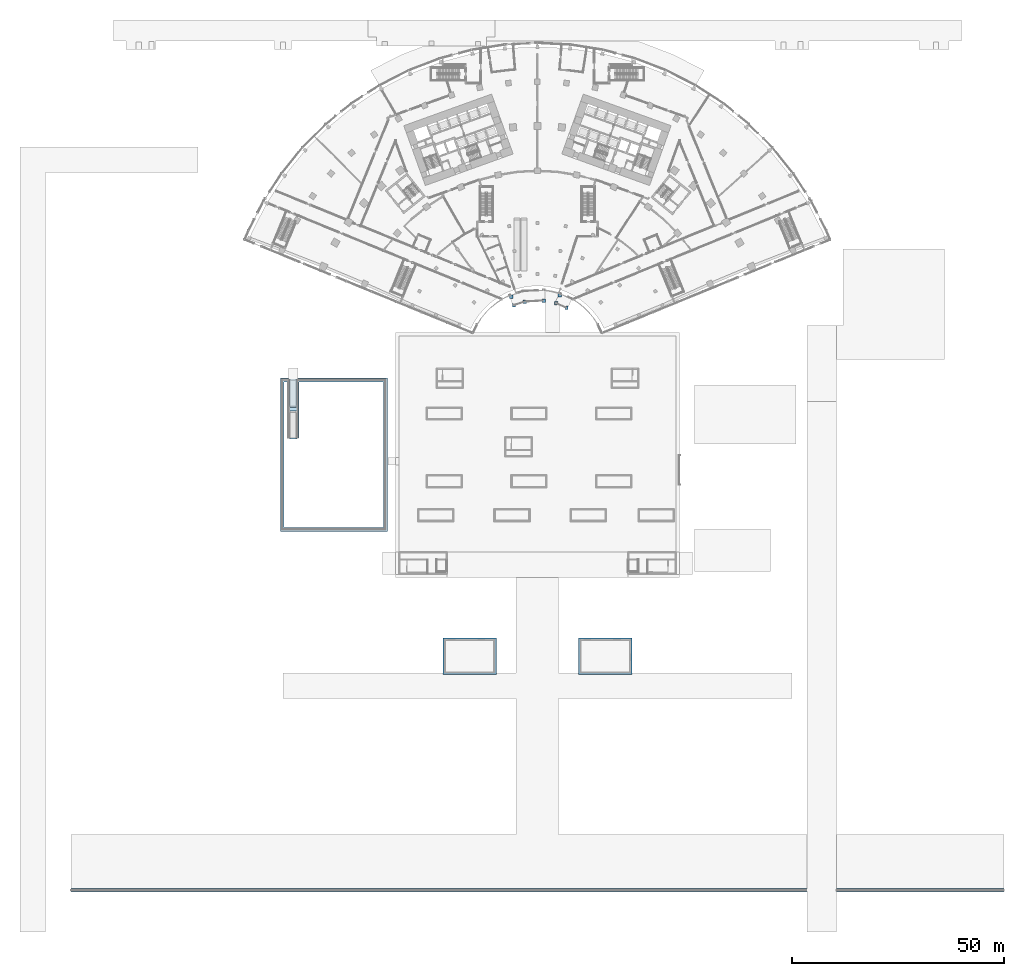
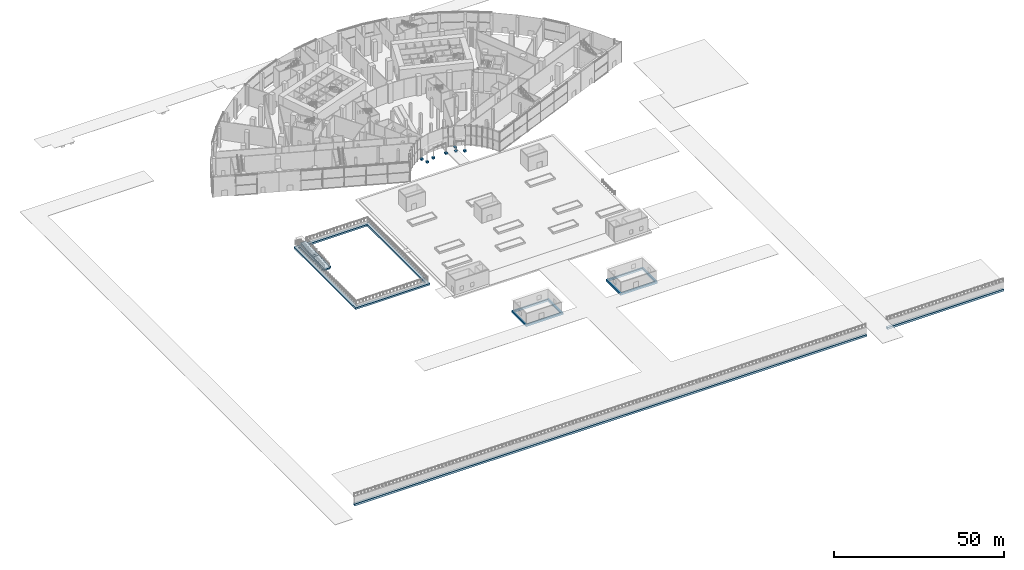
# One storey, part 1 of 60: 15 footings.
"""IFC4 building model written with IfcOpenShell, lengths in metres."""

from ifc_helpers import new_model, si_unit, direction, frame, origin, origin_2d, place, context, subcontext, project, spatial, polyline, rectangle, outline, extrude, material, layer, layer_set, type_object, element, save


model = new_model("IFC4")

# Units and contexts
model_context = context("Model", 3, precision=1e-05, world=origin(), true_north=direction((0.0, 1.0)))
body_context = subcontext(model_context, "Body", "Model", "MODEL_VIEW")
ifc_project = project(units=[si_unit("LENGTHUNIT", "METRE"), si_unit("AREAUNIT", "SQUARE_METRE"), si_unit("VOLUMEUNIT", "CUBIC_METRE"), si_unit("PLANEANGLEUNIT", "RADIAN"), si_unit("MASSUNIT", "GRAM", prefix="KILO")], contexts=[model_context])

# Site, building, storey
site_placement = place(None, origin())
site = spatial("IfcSite", under=ifc_project, at=site_placement, CompositionType="ELEMENT")
building_placement = place(site_placement, origin())
building = spatial("IfcBuilding", under=site, at=building_placement, Name="Stone Belt Terrace Tower", CompositionType="ELEMENT")
storey_placement = place(building_placement, origin())
storey = spatial("IfcBuildingStorey", under=building, at=storey_placement, Name="L00", CompositionType="ELEMENT", Elevation=0.0)

# Footings
ifc_material = material(Name="Concrete B30", Category="concrete")
footing_type_1 = type_object("IfcFootingType", Name="Canopy post pad 800 x 600", PredefinedType="PAD_FOOTING", material=ifc_material)
for number, where, z_axis, x_axis, name in (
    (1, (-5.53955078125, 12.762451171875, -0.60009765625), (0.0, 0.0, 1.0), (1.0, 0.0, 0.0), "Canopy post pad L00 00-07"),
    (2, (-2.9599609375, 13.599853515625, -0.60009765625), (0.0, 0.0, 1.0), (1.0, 0.0, 0.0), "Canopy post pad L00 00-07"),
    (3, (1.459228515625, 13.832275390625, -0.60009765625), (0.0, 0.0, 1.0), (1.0, 0.0, 0.0), "Canopy post pad L00 00-07"),
    (4, (-6.191650390625, 14.76904296875, -0.60009765625), (0.0, 0.0, 1.0), (1.0, 0.0, 0.0), "Canopy post pad L00 00-07"),
    (5, (4.4228515625, 13.191162109375, -0.60009765625), (0.0, 0.0, 1.0), (1.0, 0.0, 0.0), "Canopy post pad L00 00-11"),
    (6, (6.84326171875, 12.113525390625, -0.60009765625), (0.0, 0.0, 1.0), (1.0, 0.0, 0.0), "Canopy post pad L00 00-11"),
    (7, (5.28125, 15.11865234375, -0.60009765625), (0.0, 0.0, 1.0), (1.0, 0.0, 0.0), "Canopy post pad L00 00-11"),
):
    element("IfcFooting", number, at=place(storey_placement, frame(where, z_axis=z_axis, x_axis=x_axis)), inside=storey, type_object=footing_type_1, Name=name, PredefinedType="PAD_FOOTING", context=body_context, shape_type="SweptSolid", body=[
        extrude(rectangle(XDim=0.800048828125, YDim=0.800048828125, at=origin_2d()), origin(), (0.0, 0.0, 1.0), 0.60009765625),
    ])
ifc_layer_1 = layer(ifc_material, 0.699951171875)
ifc_layer_set_1 = layer_set([ifc_layer_1], Name="Site footing 900")
footing_type_2 = type_object("IfcFootingType", Name="Site footing 900", PredefinedType="STRIP_FOOTING", material=ifc_layer_set_1)
footing_1_placement = place(storey_placement, frame((0.0, 0.0, -0.800048828125)))
element("IfcFooting", 8, at=footing_1_placement, inside=storey, type_object=footing_type_2, Name="Garden pavilion A footing", PredefinedType="STRIP_FOOTING", context=body_context, shape_type="SweptSolid", body=[
    extrude(outline(polyline([(-22.300048828125, -74.300048828125), (-9.699951171875, -74.300048828125), (-9.699951171875, -65.699951171875), (-22.300048828125, -65.699951171875), (-22.300048828125, -74.300048828125)]), holes=[polyline([(-10.25, -66.25), (-21.75, -66.25), (-21.75, -73.75), (-10.25, -73.75), (-10.25, -66.25)])]), origin(), (0.0, 0.0, 1.0), 0.699951171875),
])
footing_2_placement = place(storey_placement, frame((0.0, 0.0, -0.800048828125)))
element("IfcFooting", 9, at=footing_2_placement, inside=storey, type_object=footing_type_2, Name="Garden pavilion B footing", PredefinedType="STRIP_FOOTING", context=body_context, shape_type="SweptSolid", body=[
    extrude(outline(polyline([(9.699951171875, -74.300048828125), (22.300048828125, -74.300048828125), (22.300048828125, -65.699951171875), (9.699951171875, -65.699951171875), (9.699951171875, -74.300048828125)]), holes=[polyline([(21.75, -66.25), (10.25, -66.25), (10.25, -73.75), (21.75, -73.75), (21.75, -66.25)])]), origin(), (0.0, 0.0, 1.0), 0.699951171875),
])
footing_3_placement = place(storey_placement, frame((0.0, 0.0, -3.199951171875)))
element("IfcFooting", 10, at=footing_3_placement, inside=storey, type_object=footing_type_2, Name="Embankment wall footing", PredefinedType="STRIP_FOOTING", context=body_context, shape_type="SweptSolid", body=[
    extrude(outline(polyline([(-110.0, -125.60009765625), (63.5, -125.60009765625), (63.5, -124.800048828125), (-110.0, -124.800048828125), (-110.0, -125.60009765625)])), origin(), (0.0, 0.0, 1.0), 0.699951171875),
])
footing_4_placement = place(storey_placement, frame((0.0, 0.0, -3.199951171875)))
element("IfcFooting", 11, at=footing_4_placement, inside=storey, type_object=footing_type_2, Name="Embankment wall footing", PredefinedType="STRIP_FOOTING", context=body_context, shape_type="SweptSolid", body=[
    extrude(outline(polyline([(70.5, -125.60009765625), (110.0, -125.60009765625), (110.0, -124.800048828125), (70.5, -124.800048828125), (70.5, -125.60009765625)])), origin(), (0.0, 0.0, 1.0), 0.699951171875),
])
ifc_layer_2 = layer(ifc_material, 0.60009765625)
ifc_layer_set_2 = layer_set([ifc_layer_2], Name="Site pad footing 1200")
footing_type_3 = type_object("IfcFootingType", Name="Site pad footing 1200", PredefinedType="PAD_FOOTING", material=ifc_layer_set_2)
footing_5_placement = place(storey_placement, frame((0.0, 0.0, -1.699951171875)))
element("IfcFooting", 12, at=footing_5_placement, inside=storey, type_object=footing_type_3, Name="Rain garden court wall footing", PredefinedType="PAD_FOOTING", context=body_context, shape_type="SweptSolid", body=[
    extrude(outline(polyline([(-60.60009765625, -40.60009765625), (-60.300048828125, -40.60009765625), (-59.699951171875, -40.60009765625), (-36.300048828125, -40.60009765625), (-35.699951171875, -40.60009765625), (-35.39990234375, -40.60009765625), (-35.39990234375, -4.39990234375), (-35.699951171875, -4.39990234375), (-36.300048828125, -4.39990234375), (-56.800048828125, -4.39990234375), (-56.800048828125, -5.0), (-56.699951171875, -5.0), (-56.699951171875, -5.300048828125), (-56.699951171875, -18.5), (-56.199951171875, -18.5), (-56.199951171875, -5.300048828125), (-36.300048828125, -5.300048828125), (-36.300048828125, -39.699951171875), (-59.699951171875, -39.699951171875), (-59.699951171875, -5.300048828125), (-59.0, -5.300048828125), (-59.0, -18.5), (-58.5, -18.5), (-58.5, -5.300048828125), (-58.5, -5.0), (-58.39990234375, -5.0), (-58.39990234375, -4.39990234375), (-59.699951171875, -4.39990234375), (-60.300048828125, -4.39990234375), (-60.60009765625, -4.39990234375), (-60.60009765625, -40.60009765625)])), origin(), (0.0, 0.0, 1.0), 0.599853515625),
])
footing_6_placement = place(storey_placement, frame((-58.5, -4.699951171875, -0.175048828125), z_axis=(0.0, -0.083051581259, 0.996545249776), x_axis=(0.0, -0.996545249776, -0.083051581259)))
element("IfcFooting", 13, at=footing_6_placement, inside=storey, type_object=footing_type_3, Name="Rain garden court ramp bed", PredefinedType="PAD_FOOTING", context=body_context, shape_type="SweptSolid", body=[
    extrude(outline(polyline([(0.0, 0.0), (6.6229783923366705, 0.0), (6.6229783923366705, 1.800048828125), (0.0, 1.800048828125), (0.0, 0.0)])), origin(), (0.0, 0.0, -1.0), 0.5),
])
footing_7_placement = place(storey_placement, frame((-58.5, -11.360107421875, -0.699951171875), z_axis=(0.0, 0.0, 1.0), x_axis=(0.0, -1.0, 0.0)))
element("IfcFooting", 14, at=footing_7_placement, inside=storey, type_object=footing_type_3, Name="Rain garden court ramp bed", PredefinedType="PAD_FOOTING", context=body_context, shape_type="SweptSolid", body=[
    extrude(outline(polyline([(0.0, 0.0), (0.77978515625, 0.0), (0.77978515625, 1.800048828125), (0.0, 1.800048828125), (0.0, 0.0)])), origin(), (0.0, 0.0, -1.0), 0.5),
])
footing_8_placement = place(storey_placement, frame((-58.5, -12.199951171875, -0.675048828125), z_axis=(0.0, -0.083051581259, 0.996545249776), x_axis=(0.0, -0.996545249776, -0.083051581259)))
element("IfcFooting", 15, at=footing_8_placement, inside=storey, type_object=footing_type_3, Name="Rain garden court ramp bed", PredefinedType="PAD_FOOTING", context=body_context, shape_type="SweptSolid", body=[
    extrude(outline(polyline([(0.0, 0.0), (6.6229783923366705, 0.0), (6.6229783923366705, 1.800048828125), (0.0, 1.800048828125), (0.0, 0.0)])), origin(), (0.0, 0.0, -1.0), 0.5),
])

save(model, "model.ifc")
